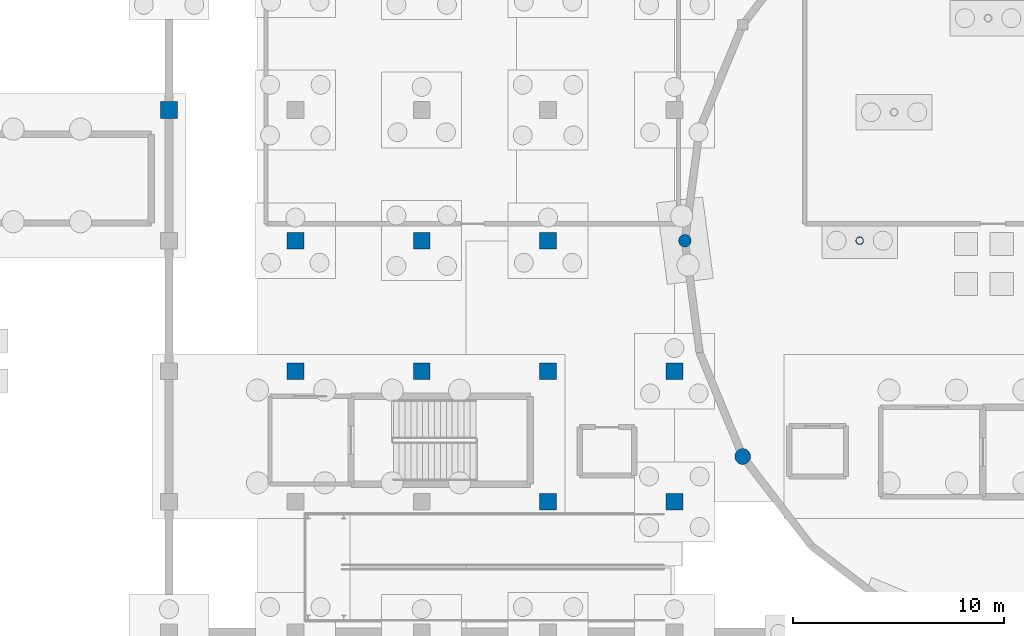
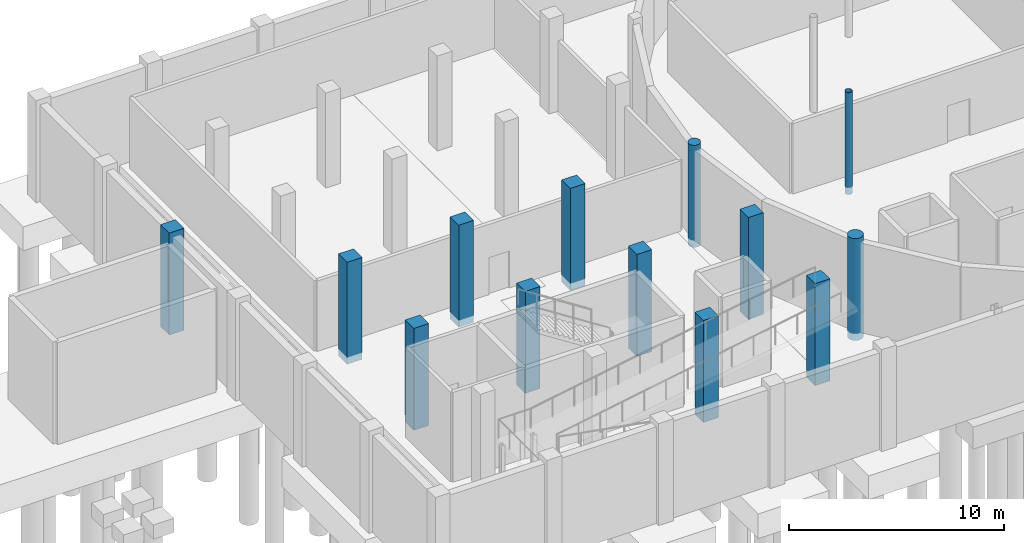
# One storey, part 5 of 19: 13 columns.
"""IFC4 building model written with IfcOpenShell, lengths in metres."""

from ifc_helpers import new_model, si_unit, direction, frame, origin, origin_2d, place, context, subcontext, project, spatial, rectangle, circle, hollow_circle, extrude, material, material_profile, profile_set, type_object, element, save


model = new_model("IFC4")

# Units and contexts
model_context = context("Model", 3, precision=1e-05, world=origin(), true_north=direction((0.0, 1.0)))
body_context = subcontext(model_context, "Body", "Model", "MODEL_VIEW")
ifc_project = project(units=[si_unit("LENGTHUNIT", "METRE"), si_unit("AREAUNIT", "SQUARE_METRE"), si_unit("VOLUMEUNIT", "CUBIC_METRE"), si_unit("PLANEANGLEUNIT", "RADIAN"), si_unit("MASSUNIT", "GRAM", prefix="KILO")], contexts=[model_context])

# Site, building, storey
site_placement = place(None, origin())
site = spatial("IfcSite", under=ifc_project, at=site_placement, CompositionType="ELEMENT")
building_placement = place(site_placement, origin())
building = spatial("IfcBuilding", under=site, at=building_placement, Name="Mirzam Square Science Centre", CompositionType="ELEMENT")
storey_placement = place(building_placement, frame((0.0, 0.0, -5.39990234375)))
storey = spatial("IfcBuildingStorey", under=building, at=storey_placement, Name="B01", CompositionType="ELEMENT", Elevation=-5.39990234375)

# Columns
ifc_material_1 = material(Name="Steel S355", Category="steel")
ifc_material_profile_1 = material_profile(ifc_material_1, hollow_circle(Radius=0.177734375, WallThickness=0.012451171875, at=origin_2d()), Name="355.6x12.5CHS")
ifc_profile_set_1 = profile_set([ifc_material_profile_1], Name="Steel S355")
column_type_1 = type_object("IfcColumnType", Name="COL-CHS355", PredefinedType="COLUMN", material=ifc_profile_set_1)
column_1_placement = place(storey_placement, frame((68.800048828125, 62.0, -0.400146484375), z_axis=(0.0, 0.0, 1.0), x_axis=(1.0, 0.0, 0.0)))
element("IfcColumn", 1, at=column_1_placement, inside=storey, type_object=column_type_1, Name="B01 inner drum column 07", PredefinedType="COLUMN", context=body_context, shape_type="SweptSolid", body=[
    extrude(hollow_circle(Radius=0.177734375, WallThickness=0.012451171875, at=origin_2d()), origin(), (0.0, 0.0, 1.0), 5.800048828125),
])
ifc_material_2 = material(Name="Concrete C45/55", Category="concrete")
ifc_material_profile_2 = material_profile(ifc_material_2, rectangle(XDim=0.800048828125, YDim=0.800048828125, at=origin_2d()), Name="RC800x800")
ifc_profile_set_2 = profile_set([ifc_material_profile_2], Name="Concrete C45/55")
column_type_2 = type_object("IfcColumnType", Name="COL-RC800", PredefinedType="COLUMN", material=ifc_profile_set_2)
for number, where, z_axis, x_axis, name in (
    (2, (36.0, 68.199951171875, -0.400146484375), (0.0, 0.0, 1.0), (1.0, 0.0, 0.0), "B01 column G07-12"),
    (3, (42.0, 55.800048828125, -0.400146484375), (0.0, 0.0, 1.0), (1.0, 0.0, 0.0), "B01 column G08-10"),
    (4, (42.0, 62.0, -0.400146484375), (0.0, 0.0, 1.0), (1.0, 0.0, 0.0), "B01 column G08-11"),
    (5, (48.0, 55.800048828125, -0.400146484375), (0.0, 0.0, 1.0), (1.0, 0.0, 0.0), "B01 column G09-10"),
    (6, (48.0, 62.0, -0.400146484375), (0.0, 0.0, 1.0), (1.0, 0.0, 0.0), "B01 column G09-11"),
    (7, (54.0, 49.60009765625, -0.400146484375), (0.0, 0.0, 1.0), (1.0, 0.0, 0.0), "B01 column G10-09"),
    (8, (54.0, 55.800048828125, -0.400146484375), (0.0, 0.0, 1.0), (1.0, 0.0, 0.0), "B01 column G10-10"),
    (9, (54.0, 62.0, -0.400146484375), (0.0, 0.0, 1.0), (1.0, 0.0, 0.0), "B01 column G10-11"),
    (10, (60.0, 49.60009765625, -0.400146484375), (0.0, 0.0, 1.0), (1.0, 0.0, 0.0), "B01 column G11-09"),
    (11, (60.0, 55.800048828125, -0.400146484375), (0.0, 0.0, 1.0), (1.0, 0.0, 0.0), "B01 column G11-10"),
):
    element("IfcColumn", number, at=place(storey_placement, frame(where, z_axis=z_axis, x_axis=x_axis)), inside=storey, type_object=column_type_2, Name=name, PredefinedType="COLUMN", context=body_context, shape_type="SweptSolid", body=[
        extrude(rectangle(XDim=0.800048828125, YDim=0.800048828125, at=origin_2d()), origin(), (0.0, 0.0, 1.0), 5.800048828125),
    ])
ifc_material_profile_3 = material_profile(ifc_material_2, circle(Radius=0.300048828125, at=origin_2d()), Name="RCD600")
ifc_profile_set_3 = profile_set([ifc_material_profile_3], Name="Concrete C45/55")
column_type_3 = type_object("IfcColumnType", Name="PIL-RCD600", PredefinedType="PILASTER", material=ifc_profile_set_3)
column_2_placement = place(storey_placement, frame((60.5, 62.0, -0.400146484375), z_axis=(0.0, 0.0, 1.0), x_axis=(1.0, 0.0, 0.0)))
element("IfcColumn", 12, at=column_2_placement, inside=storey, type_object=column_type_3, Name="B01 drum pilaster 13", PredefinedType="PILASTER", context=body_context, shape_type="SweptSolid", body=[
    extrude(circle(Radius=0.300048828125, at=origin_2d()), origin(), (0.0, 0.0, 1.0), 5.800048828125),
])
ifc_material_profile_4 = material_profile(ifc_material_2, circle(Radius=0.375, at=origin_2d()), Name="RCD750")
ifc_profile_set_4 = profile_set([ifc_material_profile_4], Name="Concrete C45/55")
column_type_4 = type_object("IfcColumnType", Name="PIL-RCD750", PredefinedType="PILASTER", material=ifc_profile_set_4)
column_3_placement = place(storey_placement, frame((63.24658203125, 51.75, -0.400146484375), z_axis=(0.0, 0.0, 1.0), x_axis=(1.0, 0.0, 0.0)))
element("IfcColumn", 13, at=column_3_placement, inside=storey, type_object=column_type_4, Name="B01 drum pilaster 15", PredefinedType="PILASTER", context=body_context, shape_type="SweptSolid", body=[
    extrude(circle(Radius=0.375, at=origin_2d()), origin(), (0.0, 0.0, 1.0), 5.800048828125),
])

save(model, "model.ifc")
